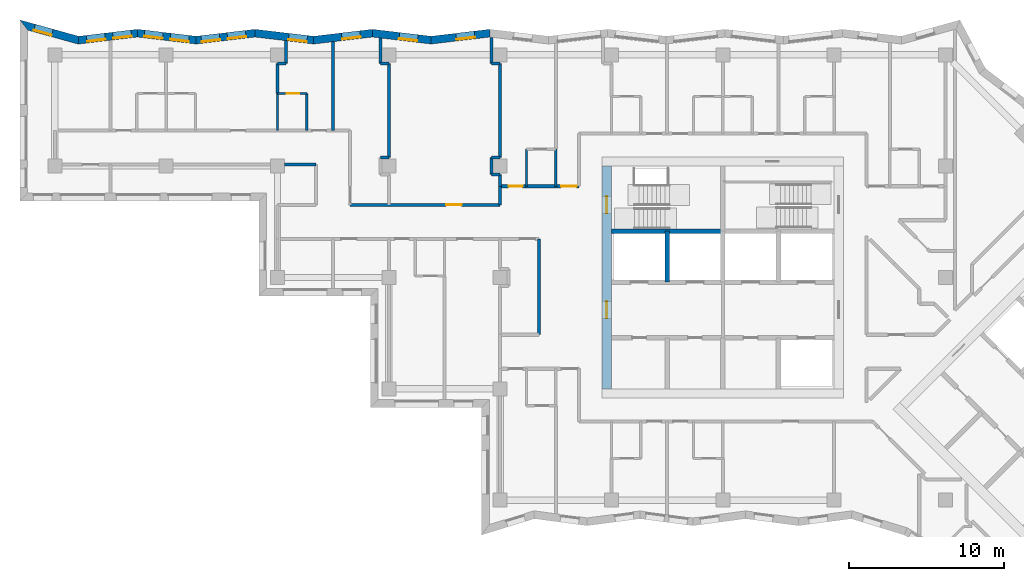
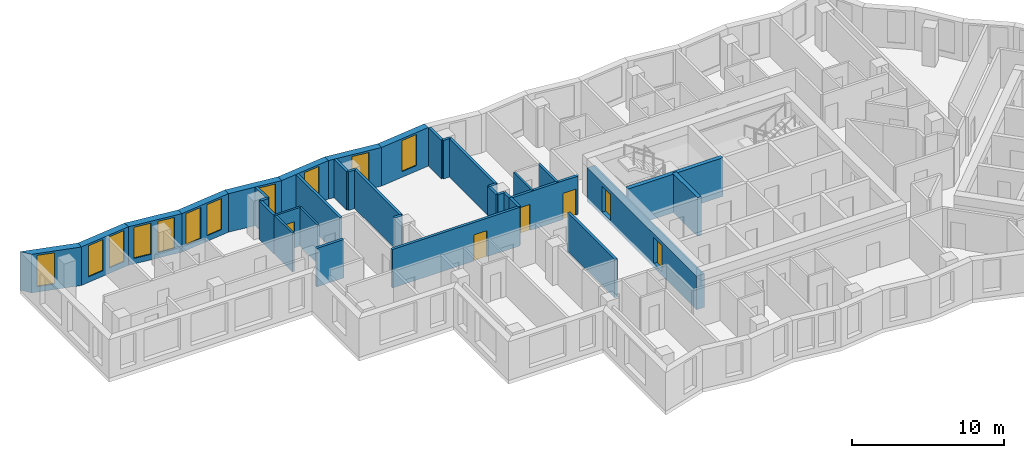
# One storey, part 5 of 12: 36 walls, 11 windows, 6 doors, 17 openings.
"""IFC4 building model written with IfcOpenShell, lengths in metres."""

from ifc_helpers import new_model, si_unit, direction, frame, frame_2d, origin, place, context, subcontext, project, spatial, polyline, rectangle, outline, extrude, material, layer, layer_set, type_object, element, fill, save


model = new_model("IFC4")

# Units and contexts
model_context = context("Model", 3, precision=1e-05, world=origin(), true_north=direction((0.0, 1.0)))
body_context = subcontext(model_context, "Body", "Model", "MODEL_VIEW")
ifc_project = project(units=[si_unit("LENGTHUNIT", "METRE"), si_unit("AREAUNIT", "SQUARE_METRE"), si_unit("VOLUMEUNIT", "CUBIC_METRE"), si_unit("PLANEANGLEUNIT", "RADIAN"), si_unit("MASSUNIT", "GRAM", prefix="KILO")], contexts=[model_context])

# Site, building, storey
site_placement = place(None, origin())
site = spatial("IfcSite", under=ifc_project, at=site_placement, CompositionType="ELEMENT")
building_placement = place(site_placement, origin())
building = spatial("IfcBuilding", under=site, at=building_placement, Name="Windrow Commons", CompositionType="ELEMENT")
storey_placement = place(building_placement, frame((0.0, 0.0, 152.4)))
storey = spatial("IfcBuildingStorey", under=building, at=storey_placement, Name="L41", CompositionType="ELEMENT", Elevation=152.4)

# Wall, opening, window
ifc_material_1 = material(Name="Brick masonry, red clay brick", Category="masonry")
ifc_layer_1 = layer(ifc_material_1, 0.5)
ifc_layer_set_1 = layer_set([ifc_layer_1], Name="Brick facade wall 500")
wall_type_1 = type_object("IfcWallType", Name="Brick facade wall 500", PredefinedType="SOLIDWALL", material=ifc_layer_set_1)
wall_1_placement = place(storey_placement, frame((49.7407, 73.3992, 0.0), z_axis=(0.0, 0.0, 1.0), x_axis=(-0.9930265769, -0.1178907016, 0.0)))
wall_1 = element("IfcWall", 1, at=wall_1_placement, inside=storey, type_object=wall_type_1, Name="Brick facade wall L41 27", PredefinedType="SOLIDWALL", context=body_context, shape_type="SweptSolid", body=[
    extrude(outline(polyline([(-0.0297, -0.25), (3.796, -0.25), (3.8553, 0.25), (0.0297, 0.25), (-0.0297, -0.25)])), origin(), (0.0, 0.0, 1.0), 3.1),
])
opening_1_placement = place(wall_1_placement, frame((0.9955, 0.0, 0.45)))
opening_1 = element("IfcOpeningElement", 2, at=opening_1_placement, cuts=wall_1, Name="Opening W7E", PredefinedType="OPENING", context=body_context, shape_type="SweptSolid", body=[
    extrude(rectangle(XDim=1.2, YDim=2.5, at=frame_2d((0.6, 1.25))), frame((0.0, 0.26, 0.0), z_axis=(0.0, -1.0, 0.0), x_axis=(1.0, 0.0, 0.0)), (0.0, 0.0, 1.0), 0.52),
])
ifc_material_2 = material(Name="Clear float glass in anodised aluminium frame", Category="aluminium")
window_type = type_object("IfcWindowType", Name="Window W7 notch 1200x2500", PartitioningType="SINGLE_PANEL", PredefinedType="WINDOW", material=ifc_material_2)
window_1_placement = place(opening_1_placement, origin())
window_1 = element("IfcWindow", 3, at=window_1_placement, inside=storey, type_object=window_type, Name="Window L41 27.1", OverallHeight=2.5, OverallWidth=1.2, PartitioningType="SINGLE_PANEL", PredefinedType="WINDOW", context=body_context, shape_type="SweptSolid", body=[
    extrude(rectangle(XDim=1.2, YDim=2.5, at=frame_2d((0.6, 1.25))), frame((0.0, 0.18, 0.0), z_axis=(0.0, -1.0, 0.0), x_axis=(1.0, 0.0, 0.0)), (0.0, 0.0, 1.0), 0.06),
])
fill(opening_1, window_1)

wall_2_placement = place(storey_placement, frame((45.9418, 72.9482, 0.0), z_axis=(0.0, 0.0, 1.0), x_axis=(-0.9930269402, 0.1178876415, 0.0)))
wall_2 = element("IfcWall", 4, at=wall_2_placement, inside=storey, type_object=wall_type_1, Name="Brick facade wall L41 28", PredefinedType="SOLIDWALL", context=body_context, shape_type="SweptSolid", body=[
    extrude(outline(polyline([(0.0297, -0.25), (3.8553, -0.25), (3.796, 0.25), (-0.0297, 0.25), (0.0297, -0.25)])), origin(), (0.0, 0.0, 1.0), 3.1),
])
opening_2_placement = place(wall_2_placement, frame((0.8805, 0.0, 0.45)))
opening_2 = element("IfcOpeningElement", 5, at=opening_2_placement, cuts=wall_2, Name="Opening W7E", PredefinedType="OPENING", context=body_context, shape_type="SweptSolid", body=[
    extrude(rectangle(XDim=1.2, YDim=2.5, at=frame_2d((0.6, 1.25))), frame((0.0, 0.26, 0.0), z_axis=(0.0, -1.0, 0.0), x_axis=(1.0, 0.0, 0.0)), (0.0, 0.0, 1.0), 0.52),
])
window_2_placement = place(opening_2_placement, origin())
window_2 = element("IfcWindow", 6, at=window_2_placement, inside=storey, type_object=window_type, Name="Window L41 28.1", OverallHeight=2.5, OverallWidth=1.2, PartitioningType="SINGLE_PANEL", PredefinedType="WINDOW", context=body_context, shape_type="SweptSolid", body=[
    extrude(rectangle(XDim=1.2, YDim=2.5, at=frame_2d((0.6, 1.25))), frame((0.0, 0.18, 0.0), z_axis=(0.0, -1.0, 0.0), x_axis=(1.0, 0.0, 0.0)), (0.0, 0.0, 1.0), 0.06),
])
fill(opening_2, window_2)

wall_3_placement = place(storey_placement, frame((42.1428, 73.3992, 0.0), z_axis=(0.0, 0.0, 1.0), x_axis=(-0.9930269402, -0.1178876415, 0.0)))
wall_3 = element("IfcWall", 7, at=wall_3_placement, inside=storey, type_object=wall_type_1, Name="Brick facade wall L41 29", PredefinedType="SOLIDWALL", context=body_context, shape_type="SweptSolid", body=[
    extrude(outline(polyline([(-0.0297, -0.25), (3.796, -0.25), (3.8553, 0.25), (0.0297, 0.25), (-0.0297, -0.25)])), origin(), (0.0, 0.0, 1.0), 3.1),
])
opening_3_placement = place(wall_3_placement, frame((0.7952, 0.0, 0.45)))
opening_3 = element("IfcOpeningElement", 8, at=opening_3_placement, cuts=wall_3, Name="Opening W7E", PredefinedType="OPENING", context=body_context, shape_type="SweptSolid", body=[
    extrude(rectangle(XDim=1.2, YDim=2.5, at=frame_2d((0.6, 1.25))), frame((0.0, 0.26, 0.0), z_axis=(0.0, -1.0, 0.0), x_axis=(1.0, 0.0, 0.0)), (0.0, 0.0, 1.0), 0.52),
])
window_3_placement = place(opening_3_placement, origin())
window_3 = element("IfcWindow", 9, at=window_3_placement, inside=storey, type_object=window_type, Name="Window L41 29.1", OverallHeight=2.5, OverallWidth=1.2, PartitioningType="SINGLE_PANEL", PredefinedType="WINDOW", context=body_context, shape_type="SweptSolid", body=[
    extrude(rectangle(XDim=1.2, YDim=2.5, at=frame_2d((0.6, 1.25))), frame((0.0, 0.18, 0.0), z_axis=(0.0, -1.0, 0.0), x_axis=(1.0, 0.0, 0.0)), (0.0, 0.0, 1.0), 0.06),
])
fill(opening_3, window_3)

wall_4_placement = place(storey_placement, frame((38.3438, 72.9482, 0.0), z_axis=(0.0, 0.0, 1.0), x_axis=(-0.9930265769, 0.1178907016, 0.0)))
wall_4 = element("IfcWall", 10, at=wall_4_placement, inside=storey, type_object=wall_type_1, Name="Brick facade wall L41 30", PredefinedType="SOLIDWALL", context=body_context, shape_type="SweptSolid", body=[
    extrude(outline(polyline([(0.0297, -0.25), (3.8553, -0.25), (3.796, 0.25), (-0.0297, 0.25), (0.0297, -0.25)])), origin(), (0.0, 0.0, 1.0), 3.1),
])
opening_4_placement = place(wall_4_placement, frame((0.4301, 0.0, 0.45)))
opening_4 = element("IfcOpeningElement", 11, at=opening_4_placement, cuts=wall_4, Name="Opening W7E", PredefinedType="OPENING", context=body_context, shape_type="SweptSolid", body=[
    extrude(rectangle(XDim=1.2, YDim=2.5, at=frame_2d((0.6, 1.25))), frame((0.0, 0.26, 0.0), z_axis=(0.0, -1.0, 0.0), x_axis=(1.0, 0.0, 0.0)), (0.0, 0.0, 1.0), 0.52),
])
window_4_placement = place(opening_4_placement, origin())
window_4 = element("IfcWindow", 12, at=window_4_placement, inside=storey, type_object=window_type, Name="Window L41 30.1", OverallHeight=2.5, OverallWidth=1.2, PartitioningType="SINGLE_PANEL", PredefinedType="WINDOW", context=body_context, shape_type="SweptSolid", body=[
    extrude(rectangle(XDim=1.2, YDim=2.5, at=frame_2d((0.6, 1.25))), frame((0.0, 0.18, 0.0), z_axis=(0.0, -1.0, 0.0), x_axis=(1.0, 0.0, 0.0)), (0.0, 0.0, 1.0), 0.06),
])
fill(opening_4, window_4)

# Wall, openings, windows
wall_5_placement = place(storey_placement, frame((34.5449, 73.3992, 0.0), z_axis=(0.0, 0.0, 1.0), x_axis=(-0.9930269402, -0.1178876415, 0.0)))
wall_5 = element("IfcWall", 13, at=wall_5_placement, inside=storey, type_object=wall_type_1, Name="Brick facade wall L41 31", PredefinedType="SOLIDWALL", context=body_context, shape_type="SweptSolid", body=[
    extrude(outline(polyline([(-0.0297, -0.25), (3.796, -0.25), (3.8553, 0.25), (0.0297, 0.25), (-0.0297, -0.25)])), origin(), (0.0, 0.0, 1.0), 3.1),
])
opening_5_placement = place(wall_5_placement, frame((0.5948, 0.0, 0.45)))
opening_5 = element("IfcOpeningElement", 14, at=opening_5_placement, cuts=wall_5, Name="Opening W7E", PredefinedType="OPENING", context=body_context, shape_type="SweptSolid", body=[
    extrude(rectangle(XDim=1.2, YDim=2.5, at=frame_2d((0.6, 1.25))), frame((0.0, 0.26, 0.0), z_axis=(0.0, -1.0, 0.0), x_axis=(1.0, 0.0, 0.0)), (0.0, 0.0, 1.0), 0.52),
])
opening_6_placement = place(wall_5_placement, frame((2.2928, 0.0, 0.45)))
opening_6 = element("IfcOpeningElement", 15, at=opening_6_placement, cuts=wall_5, Name="Opening W7E", PredefinedType="OPENING", context=body_context, shape_type="SweptSolid", body=[
    extrude(rectangle(XDim=1.2, YDim=2.5, at=frame_2d((0.6, 1.25))), frame((0.0, 0.26, 0.0), z_axis=(0.0, -1.0, 0.0), x_axis=(1.0, 0.0, 0.0)), (0.0, 0.0, 1.0), 0.52),
])
window_5_placement = place(opening_5_placement, origin())
window_5 = element("IfcWindow", 16, at=window_5_placement, inside=storey, type_object=window_type, Name="Window L41 31.1", OverallHeight=2.5, OverallWidth=1.2, PartitioningType="SINGLE_PANEL", PredefinedType="WINDOW", context=body_context, shape_type="SweptSolid", body=[
    extrude(rectangle(XDim=1.2, YDim=2.5, at=frame_2d((0.6, 1.25))), frame((0.0, 0.18, 0.0), z_axis=(0.0, -1.0, 0.0), x_axis=(1.0, 0.0, 0.0)), (0.0, 0.0, 1.0), 0.06),
])
fill(opening_5, window_5)
window_6_placement = place(opening_6_placement, origin())
window_6 = element("IfcWindow", 17, at=window_6_placement, inside=storey, type_object=window_type, Name="Window L41 31.2", OverallHeight=2.5, OverallWidth=1.2, PartitioningType="SINGLE_PANEL", PredefinedType="WINDOW", context=body_context, shape_type="SweptSolid", body=[
    extrude(rectangle(XDim=1.2, YDim=2.5, at=frame_2d((0.6, 1.25))), frame((0.0, 0.18, 0.0), z_axis=(0.0, -1.0, 0.0), x_axis=(1.0, 0.0, 0.0)), (0.0, 0.0, 1.0), 0.06),
])
fill(opening_6, window_6)

wall_6_placement = place(storey_placement, frame((30.7459, 72.9482, 0.0), z_axis=(0.0, 0.0, 1.0), x_axis=(-0.9930269402, 0.1178876415, 0.0)))
wall_6 = element("IfcWall", 18, at=wall_6_placement, inside=storey, type_object=wall_type_1, Name="Brick facade wall L41 32", PredefinedType="SOLIDWALL", context=body_context, shape_type="SweptSolid", body=[
    extrude(outline(polyline([(0.0297, -0.25), (3.8553, -0.25), (3.796, 0.25), (-0.0297, 0.25), (0.0297, -0.25)])), origin(), (0.0, 0.0, 1.0), 3.1),
])
opening_7_placement = place(wall_6_placement, frame((0.4798, 0.0, 0.45)))
opening_7 = element("IfcOpeningElement", 19, at=opening_7_placement, cuts=wall_6, Name="Opening W7E", PredefinedType="OPENING", context=body_context, shape_type="SweptSolid", body=[
    extrude(rectangle(XDim=1.2, YDim=2.5, at=frame_2d((0.6, 1.25))), frame((0.0, 0.26, 0.0), z_axis=(0.0, -1.0, 0.0), x_axis=(1.0, 0.0, 0.0)), (0.0, 0.0, 1.0), 0.52),
])
opening_8_placement = place(wall_6_placement, frame((2.1778, 0.0, 0.45)))
opening_8 = element("IfcOpeningElement", 20, at=opening_8_placement, cuts=wall_6, Name="Opening W7E", PredefinedType="OPENING", context=body_context, shape_type="SweptSolid", body=[
    extrude(rectangle(XDim=1.2, YDim=2.5, at=frame_2d((0.6, 1.25))), frame((0.0, 0.26, 0.0), z_axis=(0.0, -1.0, 0.0), x_axis=(1.0, 0.0, 0.0)), (0.0, 0.0, 1.0), 0.52),
])
window_7_placement = place(opening_7_placement, origin())
window_7 = element("IfcWindow", 21, at=window_7_placement, inside=storey, type_object=window_type, Name="Window L41 32.1", OverallHeight=2.5, OverallWidth=1.2, PartitioningType="SINGLE_PANEL", PredefinedType="WINDOW", context=body_context, shape_type="SweptSolid", body=[
    extrude(rectangle(XDim=1.2, YDim=2.5, at=frame_2d((0.6, 1.25))), frame((0.0, 0.18, 0.0), z_axis=(0.0, -1.0, 0.0), x_axis=(1.0, 0.0, 0.0)), (0.0, 0.0, 1.0), 0.06),
])
fill(opening_7, window_7)
window_8_placement = place(opening_8_placement, origin())
window_8 = element("IfcWindow", 22, at=window_8_placement, inside=storey, type_object=window_type, Name="Window L41 32.2", OverallHeight=2.5, OverallWidth=1.2, PartitioningType="SINGLE_PANEL", PredefinedType="WINDOW", context=body_context, shape_type="SweptSolid", body=[
    extrude(rectangle(XDim=1.2, YDim=2.5, at=frame_2d((0.6, 1.25))), frame((0.0, 0.18, 0.0), z_axis=(0.0, -1.0, 0.0), x_axis=(1.0, 0.0, 0.0)), (0.0, 0.0, 1.0), 0.06),
])
fill(opening_8, window_8)

wall_7_placement = place(storey_placement, frame((26.9469, 73.3992, 0.0), z_axis=(0.0, 0.0, 1.0), x_axis=(-0.9930293555, -0.1178672945, 0.0)))
wall_7 = element("IfcWall", 23, at=wall_7_placement, inside=storey, type_object=wall_type_1, Name="Brick facade wall L41 33", PredefinedType="SOLIDWALL", context=body_context, shape_type="SweptSolid", body=[
    extrude(outline(polyline([(-0.0297, -0.25), (3.796, -0.25), (3.8942, 0.25), (0.0297, 0.25), (-0.0297, -0.25)])), origin(), (0.0, 0.0, 1.0), 3.1),
])
opening_9_placement = place(wall_7_placement, frame((0.3944, 0.0, 0.45)))
opening_9 = element("IfcOpeningElement", 24, at=opening_9_placement, cuts=wall_7, Name="Opening W7E", PredefinedType="OPENING", context=body_context, shape_type="SweptSolid", body=[
    extrude(rectangle(XDim=1.2, YDim=2.5, at=frame_2d((0.6, 1.25))), frame((0.0, 0.26, 0.0), z_axis=(0.0, -1.0, 0.0), x_axis=(1.0, 0.0, 0.0)), (0.0, 0.0, 1.0), 0.52),
])
opening_10_placement = place(wall_7_placement, frame((2.1021, 0.0, 0.45)))
opening_10 = element("IfcOpeningElement", 25, at=opening_10_placement, cuts=wall_7, Name="Opening W7E", PredefinedType="OPENING", context=body_context, shape_type="SweptSolid", body=[
    extrude(rectangle(XDim=1.2, YDim=2.5, at=frame_2d((0.6, 1.25))), frame((0.0, 0.26, 0.0), z_axis=(0.0, -1.0, 0.0), x_axis=(1.0, 0.0, 0.0)), (0.0, 0.0, 1.0), 0.52),
])
window_9_placement = place(opening_9_placement, origin())
window_9 = element("IfcWindow", 26, at=window_9_placement, inside=storey, type_object=window_type, Name="Window L41 33.1", OverallHeight=2.5, OverallWidth=1.2, PartitioningType="SINGLE_PANEL", PredefinedType="WINDOW", context=body_context, shape_type="SweptSolid", body=[
    extrude(rectangle(XDim=1.2, YDim=2.5, at=frame_2d((0.6, 1.25))), frame((0.0, 0.18, 0.0), z_axis=(0.0, -1.0, 0.0), x_axis=(1.0, 0.0, 0.0)), (0.0, 0.0, 1.0), 0.06),
])
fill(opening_9, window_9)
window_10_placement = place(opening_10_placement, origin())
window_10 = element("IfcWindow", 27, at=window_10_placement, inside=storey, type_object=window_type, Name="Window L41 33.2", OverallHeight=2.5, OverallWidth=1.2, PartitioningType="SINGLE_PANEL", PredefinedType="WINDOW", context=body_context, shape_type="SweptSolid", body=[
    extrude(rectangle(XDim=1.2, YDim=2.5, at=frame_2d((0.6, 1.25))), frame((0.0, 0.18, 0.0), z_axis=(0.0, -1.0, 0.0), x_axis=(1.0, 0.0, 0.0)), (0.0, 0.0, 1.0), 0.06),
])
fill(opening_10, window_10)

# Wall, opening, window
wall_8_placement = place(storey_placement, frame((23.1287, 72.946, 0.0), z_axis=(0.0, 0.0, 1.0), x_axis=(-0.9638041041, 0.2666114194, 0.0)))
wall_8 = element("IfcWall", 28, at=wall_8_placement, inside=storey, type_object=wall_type_1, Name="Brick facade wall L41 34", PredefinedType="SOLIDWALL", context=body_context, shape_type="SweptSolid", body=[
    extrude(outline(polyline([(0.0491, -0.25), (3.9908, -0.25), (3.3337, 0.25), (-0.0491, 0.25), (0.0491, -0.25)])), origin(), (0.0, 0.0, 1.0), 3.1),
])
opening_11_placement = place(wall_8_placement, frame((1.7599, 0.0, 0.45)))
opening_11 = element("IfcOpeningElement", 29, at=opening_11_placement, cuts=wall_8, Name="Opening W7E", PredefinedType="OPENING", context=body_context, shape_type="SweptSolid", body=[
    extrude(rectangle(XDim=1.2, YDim=2.5, at=frame_2d((0.6, 1.25))), frame((0.0, 0.26, 0.0), z_axis=(0.0, -1.0, 0.0), x_axis=(1.0, 0.0, 0.0)), (0.0, 0.0, 1.0), 0.52),
])
window_11_placement = place(opening_11_placement, origin())
window_11 = element("IfcWindow", 30, at=window_11_placement, inside=storey, type_object=window_type, Name="Window L41 34.1", OverallHeight=2.5, OverallWidth=1.2, PartitioningType="SINGLE_PANEL", PredefinedType="WINDOW", context=body_context, shape_type="SweptSolid", body=[
    extrude(rectangle(XDim=1.2, YDim=2.5, at=frame_2d((0.6, 1.25))), frame((0.0, 0.18, 0.0), z_axis=(0.0, -1.0, 0.0), x_axis=(1.0, 0.0, 0.0)), (0.0, 0.0, 1.0), 0.06),
])
fill(opening_11, window_11)

# Wall, opening, door
ifc_material_3 = material(Name="Blockwork partition", Category="masonry")
ifc_layer_2 = layer(ifc_material_3, 0.2)
ifc_layer_set_2 = layer_set([ifc_layer_2], Name="IW-CORRIDOR-200")
wall_type_2 = type_object("IfcWallType", Name="IW-CORRIDOR-200", PredefinedType="PARTITIONING", material=ifc_layer_set_2)
wall_9_placement = place(storey_placement, frame((40.702, 62.3, 0.0), z_axis=(0.0, 0.0, 1.0), x_axis=(1.0, 0.0, 0.0)))
wall_9 = element("IfcWall", 31, at=wall_9_placement, inside=storey, type_object=wall_type_2, Name="W-L41-W008", PredefinedType="PARTITIONING", context=body_context, shape_type="SweptSolid", body=[
    extrude(rectangle(XDim=9.698, YDim=0.2, at=frame_2d((4.849, 0.0))), origin(), (0.0, 0.0, 1.0), 3.1),
])
opening_12_placement = place(wall_9_placement, frame((6.198, 0.0, 0.0)))
opening_12 = element("IfcOpeningElement", 32, at=opening_12_placement, cuts=wall_9, Name="Opening D310F", PredefinedType="OPENING", context=body_context, shape_type="SweptSolid", body=[
    extrude(rectangle(XDim=1.0, YDim=2.1, at=frame_2d((0.5, 1.05))), frame((0.0, 0.11, 0.0), z_axis=(0.0, -1.0, 0.0), x_axis=(1.0, 0.0, 0.0)), (0.0, 0.0, 1.0), 0.22),
])
ifc_material_4 = material(Name="Timber door leaf", Category="wood")
door_type_1 = type_object("IfcDoorType", Name="DT-AMENITY-1000", OperationType="SINGLE_SWING_LEFT", PredefinedType="DOOR", material=ifc_material_4)
door_1_placement = place(opening_12_placement, origin())
door_1 = element("IfcDoor", 33, at=door_1_placement, inside=storey, type_object=door_type_1, Name="D-L41-D021", OperationType="SINGLE_SWING_RIGHT", OverallHeight=2.1, OverallWidth=1.0, PredefinedType="DOOR", context=body_context, shape_type="SweptSolid", body=[
    extrude(rectangle(XDim=1.0, YDim=2.1, at=frame_2d((0.5, 1.05))), frame((0.0, 0.025, 0.0), z_axis=(0.0, -1.0, 0.0), x_axis=(1.0, 0.0, 0.0)), (0.0, 0.0, 1.0), 0.05),
])
fill(opening_12, door_1)

# Wall
wall_10_placement = place(storey_placement, frame((52.9, 53.902, 0.0), z_axis=(0.0, 0.0, 1.0), x_axis=(0.0, 1.0, 0.0)))
element("IfcWall", 34, at=wall_10_placement, inside=storey, type_object=wall_type_2, Name="W-L41-W025", PredefinedType="PARTITIONING", context=body_context, shape_type="SweptSolid", body=[
    extrude(rectangle(XDim=6.198, YDim=0.2, at=frame_2d((3.099, 0.0))), origin(), (0.0, 0.0, 1.0), 3.1),
])

# Wall, openings, doors
wall_11_placement = place(storey_placement, frame((50.4, 63.5, 0.0), z_axis=(0.0, 0.0, 1.0), x_axis=(1.0, 0.0, 0.0)))
wall_11 = element("IfcWall", 35, at=wall_11_placement, inside=storey, type_object=wall_type_2, Name="W-L41-W037", PredefinedType="PARTITIONING", context=body_context, shape_type="SweptSolid", body=[
    extrude(rectangle(XDim=5.1, YDim=0.2, at=frame_2d((2.55, 0.0))), origin(), (0.0, 0.0, 1.0), 3.1),
])
opening_13_placement = place(wall_11_placement, frame((0.5517, 0.0, 0.0)))
opening_13 = element("IfcOpeningElement", 36, at=opening_13_placement, cuts=wall_11, Name="Opening D109S", PredefinedType="OPENING", context=body_context, shape_type="SweptSolid", body=[
    extrude(rectangle(XDim=0.9, YDim=2.1, at=frame_2d((0.45, 1.05))), frame((0.0, 0.11, 0.0), z_axis=(0.0, -1.0, 0.0), x_axis=(1.0, 0.0, 0.0)), (0.0, 0.0, 1.0), 0.22),
])
opening_14_placement = place(wall_11_placement, frame((3.9413, 0.0, 0.0)))
opening_14 = element("IfcOpeningElement", 37, at=opening_14_placement, cuts=wall_11, Name="Opening D310F", PredefinedType="OPENING", context=body_context, shape_type="SweptSolid", body=[
    extrude(rectangle(XDim=1.0, YDim=2.1, at=frame_2d((0.5, 1.05))), frame((0.0, 0.11, 0.0), z_axis=(0.0, -1.0, 0.0), x_axis=(1.0, 0.0, 0.0)), (0.0, 0.0, 1.0), 0.22),
])
door_2_placement = place(opening_14_placement, origin())
door_2 = element("IfcDoor", 38, at=door_2_placement, inside=storey, type_object=door_type_1, Name="D-L41-D025", OperationType="SINGLE_SWING_LEFT", OverallHeight=2.1, OverallWidth=1.0, PredefinedType="DOOR", context=body_context, shape_type="SweptSolid", body=[
    extrude(rectangle(XDim=1.0, YDim=2.1, at=frame_2d((0.5, 1.05))), frame((0.0, 0.025, 0.0), z_axis=(0.0, -1.0, 0.0), x_axis=(1.0, 0.0, 0.0)), (0.0, 0.0, 1.0), 0.05),
])
fill(opening_14, door_2)
ifc_material_5 = material(Name="Timber door leaf", Category="wood")
door_type_2 = type_object("IfcDoorType", Name="DT-BEDROOM-900", OperationType="SINGLE_SWING_LEFT", PredefinedType="DOOR", material=ifc_material_5)
door_3_placement = place(opening_13_placement, origin())
door_3 = element("IfcDoor", 39, at=door_3_placement, inside=storey, type_object=door_type_2, Name="D-L41-D023", OperationType="SINGLE_SWING_RIGHT", OverallHeight=2.1, OverallWidth=0.9, PredefinedType="DOOR", context=body_context, shape_type="SweptSolid", body=[
    extrude(rectangle(XDim=0.9, YDim=2.1, at=frame_2d((0.45, 1.05))), frame((0.0, 0.025, 0.0), z_axis=(0.0, -1.0, 0.0), x_axis=(1.0, 0.0, 0.0)), (0.0, 0.0, 1.0), 0.05),
])
fill(opening_13, door_3)

# Walls
wall_12_placement = place(storey_placement, frame((36.45, 64.9, 0.0), z_axis=(0.0, 0.0, 1.0), x_axis=(1.0, 0.0, 0.0)))
element("IfcWall", 40, at=wall_12_placement, inside=storey, type_object=wall_type_2, Name="W-L41-W117", PredefinedType="PARTITIONING", context=body_context, shape_type="SweptSolid", body=[
    extrude(rectangle(XDim=2.05, YDim=0.2, at=frame_2d((1.025, 0.0))), origin(), (0.0, 0.0, 1.0), 3.1),
])
wall_13_placement = place(storey_placement, frame((50.4, 62.302, 0.0), z_axis=(0.0, 0.0, 1.0), x_axis=(0.0, 1.0, 0.0)))
element("IfcWall", 41, at=wall_13_placement, inside=storey, type_object=wall_type_2, Name="W-L41-W150", PredefinedType="PARTITIONING", context=body_context, shape_type="SweptSolid", body=[
    extrude(rectangle(XDim=1.198, YDim=0.2, at=frame_2d((0.599, 0.0))), origin(), (0.0, 0.0, 1.0), 3.1),
])
ifc_material_6 = material(Name="Blockwork partition", Category="masonry")
ifc_layer_3 = layer(ifc_material_6, 0.15)
ifc_layer_set_3 = layer_set([ifc_layer_3], Name="IW-ENSUITE-150")
wall_type_3 = type_object("IfcWallType", Name="IW-ENSUITE-150", PredefinedType="PARTITIONING", material=ifc_layer_set_3)
for number, where, z_axis, x_axis, name in (
    (42, (36.0, 67.1, 0.0), (0.0, 0.0, 1.0), (0.0, 1.0, 0.0), "W-L41-W074"),
    (43, (37.9, 67.1, 0.0), (0.0, 0.0, 1.0), (0.0, 1.0, 0.0), "W-L41-W075"),
    (44, (52.1, 63.5, 0.0), (0.0, 0.0, 1.0), (0.0, 1.0, 0.0), "W-L41-W077"),
    (45, (54.0, 63.5, 0.0), (0.0, 0.0, 1.0), (0.0, 1.0, 0.0), "W-L41-W079"),
):
    element("IfcWall", number, at=place(storey_placement, frame(where, z_axis=z_axis, x_axis=x_axis)), inside=storey, type_object=wall_type_3, Name=name, PredefinedType="PARTITIONING", context=body_context, shape_type="SweptSolid", body=[
        extrude(rectangle(XDim=2.4, YDim=0.15, at=frame_2d((1.2, 0.0))), origin(), (0.0, 0.0, 1.0), 3.1),
    ])

# Wall, opening, door
wall_14_placement = place(storey_placement, frame((36.0, 69.5, 0.0), z_axis=(0.0, 0.0, 1.0), x_axis=(1.0, 0.0, 0.0)))
wall_14 = element("IfcWall", 46, at=wall_14_placement, inside=storey, type_object=wall_type_3, Name="W-L41-W126", PredefinedType="PARTITIONING", context=body_context, shape_type="SweptSolid", body=[
    extrude(rectangle(XDim=1.9, YDim=0.15, at=frame_2d((0.95, 0.0))), origin(), (0.0, 0.0, 1.0), 3.1),
])
opening_15_placement = place(wall_14_placement, frame((0.6069, 0.0, 0.0)))
opening_15 = element("IfcOpeningElement", 47, at=opening_15_placement, cuts=wall_14, Name="Opening D208N", PredefinedType="OPENING", context=body_context, shape_type="SweptSolid", body=[
    extrude(rectangle(XDim=0.8, YDim=2.1, at=frame_2d((0.4, 1.05))), frame((0.0, 0.085, 0.0), z_axis=(0.0, -1.0, 0.0), x_axis=(1.0, 0.0, 0.0)), (0.0, 0.0, 1.0), 0.17),
])
ifc_material_7 = material(Name="Timber door leaf", Category="wood")
door_type_3 = type_object("IfcDoorType", Name="DT-ENSUITE-800", OperationType="SINGLE_SWING_LEFT", PredefinedType="DOOR", material=ifc_material_7)
door_4_placement = place(opening_15_placement, origin())
door_4 = element("IfcDoor", 48, at=door_4_placement, inside=storey, type_object=door_type_3, Name="D-L41-D007", OperationType="SINGLE_SWING_RIGHT", OverallHeight=2.1, OverallWidth=0.8, PredefinedType="DOOR", context=body_context, shape_type="SweptSolid", body=[
    extrude(rectangle(XDim=0.8, YDim=2.1, at=frame_2d((0.4, 1.05))), frame((0.0, 0.025, 0.0), z_axis=(0.0, -1.0, 0.0), x_axis=(1.0, 0.0, 0.0)), (0.0, 0.0, 1.0), 0.05),
])
fill(opening_15, door_4)

# Walls
ifc_material_8 = material(Name="Blockwork partition", Category="masonry")
ifc_layer_4 = layer(ifc_material_8, 0.2)
ifc_layer_set_4 = layer_set([ifc_layer_4], Name="IW-PARTY-200")
wall_type_4 = type_object("IfcWallType", Name="IW-PARTY-200", PredefinedType="PARTITIONING", material=ifc_layer_set_4)
for number, where, z_axis, x_axis, name in (
    (49, (43.2, 65.354, 0.0), (0.0, 0.0, 1.0), (0.0, 1.0, 0.0), "W-L41-W026"),
    (50, (50.4, 65.354, 0.0), (0.0, 0.0, 1.0), (0.0, 1.0, 0.0), "W-L41-W027"),
):
    element("IfcWall", number, at=place(storey_placement, frame(where, z_axis=z_axis, x_axis=x_axis)), inside=storey, type_object=wall_type_4, Name=name, PredefinedType="PARTITIONING", context=body_context, shape_type="SweptSolid", body=[
        extrude(rectangle(XDim=6.092, YDim=0.2, at=frame_2d((3.046, 0.0))), origin(), (0.0, 0.0, 1.0), 3.1),
    ])
wall_15_placement = place(storey_placement, frame((39.6, 67.1, 0.0), z_axis=(0.0, 0.0, 1.0), x_axis=(0.0, 1.0, 0.0)))
element("IfcWall", 51, at=wall_15_placement, inside=storey, type_object=wall_type_4, Name="W-L41-W035", PredefinedType="PARTITIONING", context=body_context, shape_type="SweptSolid", body=[
    extrude(rectangle(XDim=5.7456, YDim=0.2, at=frame_2d((2.8728, 0.0))), origin(), (0.0, 0.0, 1.0), 3.1),
])
wall_16_placement = place(storey_placement, frame((36.0, 69.5, 0.0), z_axis=(0.0, 0.0, 1.0), x_axis=(0.0, 1.0, 0.0)))
element("IfcWall", 52, at=wall_16_placement, inside=storey, type_object=wall_type_4, Name="W-L41-W119", PredefinedType="PARTITIONING", context=body_context, shape_type="SweptSolid", body=[
    extrude(rectangle(XDim=1.946, YDim=0.2, at=frame_2d((0.973, 0.0))), origin(), (0.0, 0.0, 1.0), 3.1),
])
wall_17_placement = place(storey_placement, frame((49.85, 71.446, 0.0), z_axis=(0.0, 0.0, 1.0), x_axis=(0.0, 1.0, 0.0)))
element("IfcWall", 53, at=wall_17_placement, inside=storey, type_object=wall_type_4, Name="W-L41-W140", PredefinedType="PARTITIONING", context=body_context, shape_type="SweptSolid", body=[
    extrude(rectangle(XDim=1.6885, YDim=0.2, at=frame_2d((0.8442, 0.0))), origin(), (0.0, 0.0, 1.0), 3.1),
])
wall_18_placement = place(storey_placement, frame((42.65, 71.446, 0.0), z_axis=(0.0, 0.0, 1.0), x_axis=(0.0, 1.0, 0.0)))
element("IfcWall", 54, at=wall_18_placement, inside=storey, type_object=wall_type_4, Name="W-L41-W143", PredefinedType="PARTITIONING", context=body_context, shape_type="SweptSolid", body=[
    extrude(rectangle(XDim=1.6413, YDim=0.2, at=frame_2d((0.8206, 0.0))), origin(), (0.0, 0.0, 1.0), 3.1),
])
wall_19_placement = place(storey_placement, frame((36.55, 71.446, 0.0), z_axis=(0.0, 0.0, 1.0), x_axis=(0.0, 1.0, 0.0)))
element("IfcWall", 55, at=wall_19_placement, inside=storey, type_object=wall_type_4, Name="W-L41-W146", PredefinedType="PARTITIONING", context=body_context, shape_type="SweptSolid", body=[
    extrude(rectangle(XDim=1.4634, YDim=0.2, at=frame_2d((0.7317, 0.0))), origin(), (0.0, 0.0, 1.0), 3.1),
])
wall_20_placement = place(storey_placement, frame((49.85, 64.246, 0.0), z_axis=(0.0, 0.0, 1.0), x_axis=(0.0, 1.0, 0.0)))
element("IfcWall", 56, at=wall_20_placement, inside=storey, type_object=wall_type_4, Name="W-L41-W153", PredefinedType="PARTITIONING", context=body_context, shape_type="SweptSolid", body=[
    extrude(rectangle(XDim=1.108, YDim=0.2, at=frame_2d((0.554, 0.0))), origin(), (0.0, 0.0, 1.0), 3.1),
])
wall_21_placement = place(storey_placement, frame((50.4, 63.5, 0.0), z_axis=(0.0, 0.0, 1.0), x_axis=(0.0, 1.0, 0.0)))
element("IfcWall", 57, at=wall_21_placement, inside=storey, type_object=wall_type_4, Name="W-L41-W160", PredefinedType="PARTITIONING", context=body_context, shape_type="SweptSolid", body=[
    extrude(rectangle(XDim=0.746, YDim=0.2, at=frame_2d((0.373, 0.0))), origin(), (0.0, 0.0, 1.0), 3.1),
])
for number, where, z_axis, x_axis, name in (
    (58, (42.65, 71.45, 0.0), (0.0, 0.0, 1.0), (1.0, 0.0, 0.0), "W-L41-W161"),
    (59, (42.65, 65.35, 0.0), (0.0, 0.0, 1.0), (1.0, 0.0, 0.0), "W-L41-W163"),
    (60, (36.0, 71.45, 0.0), (0.0, 0.0, 1.0), (1.0, 0.0, 0.0), "W-L41-W167"),
    (61, (49.85, 71.45, 0.0), (0.0, 0.0, 1.0), (1.0, 0.0, 0.0), "W-L41-W168"),
    (62, (49.85, 65.35, 0.0), (0.0, 0.0, 1.0), (1.0, 0.0, 0.0), "W-L41-W169"),
    (63, (49.85, 64.25, 0.0), (0.0, 0.0, 1.0), (1.0, 0.0, 0.0), "W-L41-W170"),
):
    element("IfcWall", number, at=place(storey_placement, frame(where, z_axis=z_axis, x_axis=x_axis)), inside=storey, type_object=wall_type_4, Name=name, PredefinedType="PARTITIONING", context=body_context, shape_type="SweptSolid", body=[
        extrude(rectangle(XDim=0.55, YDim=0.2, at=frame_2d((0.275, 0.0))), origin(), (0.0, 0.0, 1.0), 3.1),
    ])

# Wall, openings, doors
ifc_material_9 = material(Name="Concrete C50/60", Category="concrete")
ifc_layer_5 = layer(ifc_material_9, 0.6)
ifc_layer_set_5 = layer_set([ifc_layer_5], Name="RC CORE WALL 600 C50/60")
wall_type_5 = type_object("IfcWallType", Name="RC CORE WALL 600 C50/60", PredefinedType="SHEAR", material=ifc_layer_set_5)
wall_22_placement = place(storey_placement, frame((57.3, 50.4, -0.3), z_axis=(0.0, 0.0, 1.0), x_axis=(0.0, 1.0, 0.0)))
wall_22 = element("IfcWall", 64, at=wall_22_placement, inside=storey, type_object=wall_type_5, Name="Core A wall outer-W", PredefinedType="SHEAR", context=body_context, shape_type="SweptSolid", body=[
    extrude(rectangle(XDim=14.4, YDim=0.6, at=frame_2d((7.2, 0.0))), origin(), (0.0, 0.0, 1.0), 2.7),
])
opening_16_placement = place(wall_22_placement, frame((4.55, 0.0, 0.3)))
opening_16 = element("IfcOpeningElement", 65, at=opening_16_placement, cuts=wall_22, Name="Opening D6", PredefinedType="OPENING", context=body_context, shape_type="SweptSolid", body=[
    extrude(rectangle(XDim=1.1, YDim=2.1, at=frame_2d((0.55, 1.05))), frame((0.0, 0.31, 0.0), z_axis=(0.0, -1.0, 0.0), x_axis=(1.0, 0.0, 0.0)), (0.0, 0.0, 1.0), 0.62),
])
opening_17_placement = place(wall_22_placement, frame((11.35, 0.0, 0.3)))
opening_17 = element("IfcOpeningElement", 66, at=opening_17_placement, cuts=wall_22, Name="Opening D7", PredefinedType="OPENING", context=body_context, shape_type="SweptSolid", body=[
    extrude(rectangle(XDim=1.1, YDim=2.1, at=frame_2d((0.55, 1.05))), frame((0.0, 0.31, 0.0), z_axis=(0.0, -1.0, 0.0), x_axis=(1.0, 0.0, 0.0)), (0.0, 0.0, 1.0), 0.62),
])
ifc_material_10 = material(Name="Steel fire door leaf", Category="steel")
door_type_4 = type_object("IfcDoorType", Name="Core lobby door 1100", OperationType="SINGLE_SWING_LEFT", PredefinedType="DOOR", material=ifc_material_10)
door_5_placement = place(opening_16_placement, origin())
door_5 = element("IfcDoor", 67, at=door_5_placement, inside=storey, type_object=door_type_4, Name="Lift lobby door", OperationType="DOUBLE_DOOR_SINGLE_SWING", OverallHeight=2.1, OverallWidth=1.1, PredefinedType="DOOR", context=body_context, shape_type="SweptSolid", body=[
    extrude(rectangle(XDim=1.1, YDim=2.1, at=frame_2d((0.55, 1.05))), frame((0.0, 0.025, 0.0), z_axis=(0.0, -1.0, 0.0), x_axis=(1.0, 0.0, 0.0)), (0.0, 0.0, 1.0), 0.05),
])
fill(opening_16, door_5)
ifc_material_11 = material(Name="Steel fire door leaf", Category="steel")
door_type_5 = type_object("IfcDoorType", Name="Stair door 1100", OperationType="SINGLE_SWING_LEFT", PredefinedType="DOOR", material=ifc_material_11)
door_6_placement = place(opening_17_placement, origin())
door_6 = element("IfcDoor", 68, at=door_6_placement, inside=storey, type_object=door_type_5, Name="Stair door", OperationType="SINGLE_SWING_LEFT", OverallHeight=2.1, OverallWidth=1.1, PredefinedType="DOOR", context=body_context, shape_type="SweptSolid", body=[
    extrude(rectangle(XDim=1.1, YDim=2.1, at=frame_2d((0.55, 1.05))), frame((0.0, 0.025, 0.0), z_axis=(0.0, -1.0, 0.0), x_axis=(1.0, 0.0, 0.0)), (0.0, 0.0, 1.0), 0.05),
])
fill(opening_17, door_6)

# Walls
ifc_material_12 = material(Name="Concrete C50/60", Category="concrete")
ifc_layer_6 = layer(ifc_material_12, 0.3)
ifc_layer_set_6 = layer_set([ifc_layer_6], Name="RC SHAFT WALL 300 C50/60")
wall_type_6 = type_object("IfcWallType", Name="RC SHAFT WALL 300 C50/60", PredefinedType="SOLIDWALL", material=ifc_layer_set_6)
wall_23_placement = place(storey_placement, frame((61.2, 57.3, 0.0), z_axis=(0.0, 0.0, 1.0), x_axis=(0.0, 1.0, 0.0)))
element("IfcWall", 69, at=wall_23_placement, inside=storey, type_object=wall_type_6, Name="Core A wall shaft-N1", PredefinedType="SOLIDWALL", context=body_context, shape_type="SweptSolid", body=[
    extrude(rectangle(XDim=3.3, YDim=0.3, at=frame_2d((1.65, 0.0))), origin(), (0.0, 0.0, 1.0), 3.1),
])
wall_24_placement = place(storey_placement, frame((57.6, 60.6, 0.0), z_axis=(0.0, 0.0, 1.0), x_axis=(1.0, 0.0, 0.0)))
element("IfcWall", 70, at=wall_24_placement, inside=storey, type_object=wall_type_6, Name="Core A wall stair-S", PredefinedType="SOLIDWALL", context=body_context, shape_type="SweptSolid", body=[
    extrude(rectangle(XDim=7.2, YDim=0.3, at=frame_2d((3.6, 0.0))), origin(), (0.0, 0.0, 1.0), 3.1),
])

save(model, "model.ifc")
